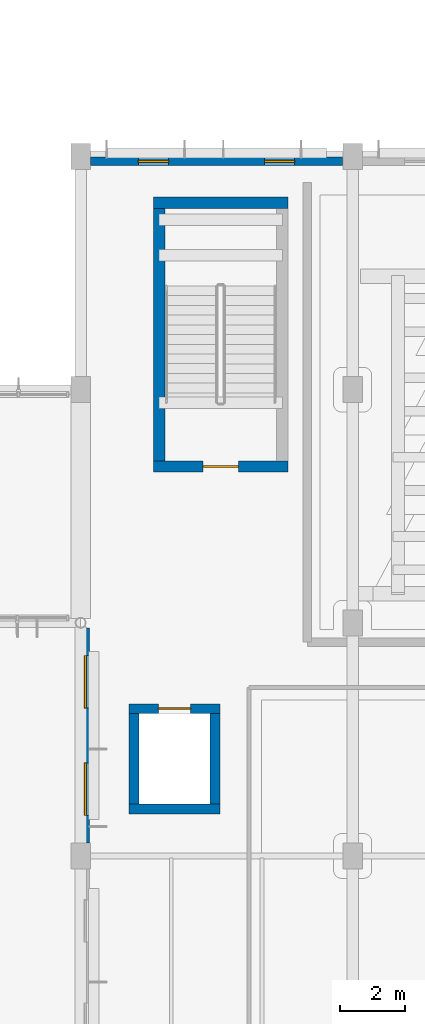
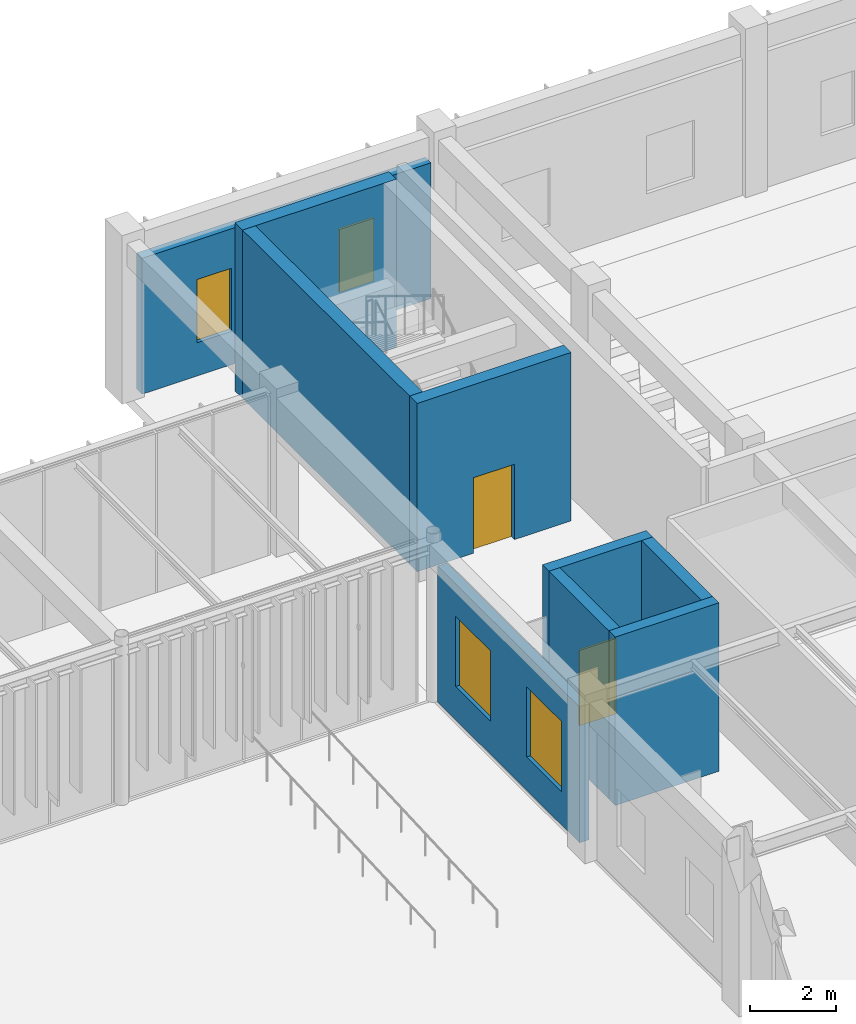
# One storey, part 35 of 122: 9 walls, 4 windows, 2 doors, 6 openings.
"""IFC4 building model written with IfcOpenShell, lengths in metres."""

from ifc_helpers import new_model, si_unit, direction, frame, frame_2d, origin, place, context, subcontext, project, spatial, rectangle, extrude, material, layer, layer_set, type_object, element, fill, save


model = new_model("IFC4")

# Units and contexts
model_context = context("Model", 3, precision=1e-05, world=origin(), true_north=direction((0.0, 1.0)))
body_context = subcontext(model_context, "Body", "Model", "MODEL_VIEW")
ifc_project = project(units=[si_unit("LENGTHUNIT", "METRE"), si_unit("AREAUNIT", "SQUARE_METRE"), si_unit("VOLUMEUNIT", "CUBIC_METRE"), si_unit("PLANEANGLEUNIT", "RADIAN"), si_unit("MASSUNIT", "GRAM", prefix="KILO")], contexts=[model_context])

# Site, building, storey
site_placement = place(None, origin())
site = spatial("IfcSite", under=ifc_project, at=site_placement, CompositionType="ELEMENT")
building_placement = place(site_placement, origin())
building = spatial("IfcBuilding", under=site, at=building_placement, Name="Tazoul Stagehouse", CompositionType="ELEMENT")
storey_placement = place(building_placement, origin())
storey = spatial("IfcBuildingStorey", under=building, at=storey_placement, Name="L00", CompositionType="ELEMENT", Elevation=0.0)

# Wall, opening, door
ifc_material_1 = material(Name="Concrete C40/50", Category="concrete")
ifc_layer_1 = layer(ifc_material_1, 0.35009765625, Name="Concrete C40/50")
ifc_layer_set_1 = layer_set([ifc_layer_1], Name="Concrete C40/50")
wall_type_1 = type_object("IfcWallType", Name="Core Shear Wall 350", PredefinedType="SOLIDWALL", material=ifc_layer_set_1)
wall_1_placement = place(storey_placement, frame((131.800048828125, 49.425048828125, 0.0), z_axis=(0.0, 0.0, 1.0), x_axis=(-1.0, 0.0, 0.0)))
wall_1 = element("IfcWall", 1, at=wall_1_placement, inside=storey, type_object=wall_type_1, Name="L00 Core Wall CW-350 (SHF-ST-07-south)", PredefinedType="SOLIDWALL", context=body_context, shape_type="SweptSolid", body=[
    extrude(rectangle(XDim=4.150146484375, YDim=0.35009765625, at=frame_2d((2.0751953125, 0.0))), origin(), (0.0, 0.0, 1.0), 4.800048828125),
])
opening_1_placement = place(wall_1_placement, frame((1.52490234375, 0.0, 0.0)))
opening_1 = element("IfcOpeningElement", 2, at=opening_1_placement, cuts=wall_1, Name="Opening FD-01", PredefinedType="OPENING", context=body_context, shape_type="SweptSolid", body=[
    extrude(rectangle(XDim=1.10009765625, YDim=2.14990234375, at=frame_2d((0.550048828125, 1.074951171875))), frame((0.0, 0.195068359375, 0.0), z_axis=(0.0, -1.0, 0.0), x_axis=(1.0, 0.0, 0.0)), (0.0, 0.0, 1.0), 0.39013671875),
])
ifc_material_2 = material(Name="Powder-Coated Galvanised Acoustic Steel", Category="steel")
door_type_1 = type_object("IfcDoorType", Name="Core Escape Stair Fire Door 1100x2150", OperationType="NOTDEFINED", PredefinedType="DOOR", material=ifc_material_2)
door_1_placement = place(opening_1_placement, origin())
door_1 = element("IfcDoor", 3, at=door_1_placement, inside=storey, type_object=door_type_1, Name="L00 Escape Stair Fire Door FD-01 (ST-07)", OperationType="SINGLE_SWING_RIGHT", OverallHeight=2.14990234375, OverallWidth=1.10009765625, PredefinedType="DOOR", context=body_context, shape_type="SweptSolid", body=[
    extrude(rectangle(XDim=1.10009765625, YDim=2.14990234375, at=frame_2d((0.550048828125, 1.074951171875))), frame((0.0, 0.02490234375, 0.0), z_axis=(0.0, -1.0, 0.0), x_axis=(1.0, 0.0, 0.0)), (0.0, 0.0, 1.0), 0.050048828125),
])
fill(opening_1, door_1)

# Walls
wall_2_placement = place(storey_placement, frame((127.824951171875, 49.60009765625, 0.0), z_axis=(0.0, 0.0, 1.0), x_axis=(0.0, 1.0, 0.0)))
element("IfcWall", 4, at=wall_2_placement, inside=storey, type_object=wall_type_1, Name="L00 Core Wall CW-350 (SHF-ST-07-west)", PredefinedType="SOLIDWALL", context=body_context, shape_type="SweptSolid", body=[
    extrude(rectangle(XDim=7.7998046875, YDim=0.35009765625, at=frame_2d((3.89990234375, 0.0))), origin(), (0.0, 0.0, 1.0), 4.800048828125),
])
wall_3_placement = place(storey_placement, frame((127.64990234375, 57.574951171875, 0.0), z_axis=(0.0, 0.0, 1.0), x_axis=(1.0, 0.0, 0.0)))
element("IfcWall", 5, at=wall_3_placement, inside=storey, type_object=wall_type_1, Name="L00 Core Wall CW-350 (SHF-ST-07-north)", PredefinedType="SOLIDWALL", context=body_context, shape_type="SweptSolid", body=[
    extrude(rectangle(XDim=4.150146484375, YDim=0.35009765625, at=frame_2d((2.0751953125, 0.0))), origin(), (0.0, 0.0, 1.0), 4.800048828125),
])

# Wall, openings, windows
ifc_material_3 = material(Name="Precast concrete C40/50", Category="concrete")
ifc_layer_2 = layer(ifc_material_3, 0.260009765625, Name="Precast concrete C40/50")
ifc_layer_set_2 = layer_set([ifc_layer_2], Name="Precast concrete C40/50")
wall_type_2 = type_object("IfcWallType", Name="Curved Studio Drum Terracotta-Concrete Wall 260", PredefinedType="SOLIDWALL", material=ifc_layer_set_2)
wall_4_placement = place(storey_placement, frame((125.705078125, 58.85009765625, 0.0), z_axis=(0.0, 0.0, 1.0), x_axis=(1.0, 0.0, 0.0)))
wall_4 = element("IfcWall", 6, at=wall_4_placement, inside=storey, type_object=wall_type_2, Name="L00 Wall EW-260 (WALL-V4-N-L00-S1)", PredefinedType="SOLIDWALL", context=body_context, shape_type="SweptSolid", body=[
    extrude(rectangle(XDim=7.7900390625, YDim=0.260009765625, at=frame_2d((3.89501953125, 0.0))), origin(), (0.0, 0.0, 1.0), 3.873046875),
])
opening_2_placement = place(wall_4_placement, frame((1.482421875, 0.0, 0.949951171875)))
opening_2 = element("IfcOpeningElement", 7, at=opening_2_placement, cuts=wall_4, Name="Opening WN-59", PredefinedType="OPENING", context=body_context, shape_type="SweptSolid", body=[
    extrude(rectangle(XDim=0.929931640625, YDim=1.800048828125, at=frame_2d((0.46484375, 0.89990234375))), frame((0.0, 0.14990234375, 0.0), z_axis=(0.0, -1.0, 0.0), x_axis=(1.0, 0.0, 0.0)), (0.0, 0.0, 1.0), 0.300048828125),
])
opening_3_placement = place(wall_4_placement, frame((5.37744140625, 0.0, 0.949951171875)))
opening_3 = element("IfcOpeningElement", 8, at=opening_3_placement, cuts=wall_4, Name="Opening WN-59", PredefinedType="OPENING", context=body_context, shape_type="SweptSolid", body=[
    extrude(rectangle(XDim=0.929931640625, YDim=1.800048828125, at=frame_2d((0.46484375, 0.89990234375))), frame((0.0, 0.14990234375, 0.0), z_axis=(0.0, -1.0, 0.0), x_axis=(1.0, 0.0, 0.0)), (0.0, 0.0, 1.0), 0.300048828125),
])
ifc_material_4 = material(Name="Double Low-E Acoustic Laminated Glass", Category="glass")
window_type_1 = type_object("IfcWindowType", Name="Architectural Acoustic Facade Window 930x1800", PartitioningType="SINGLE_PANEL", PredefinedType="WINDOW", material=ifc_material_4)
window_1_placement = place(opening_2_placement, origin())
window_1 = element("IfcWindow", 9, at=window_1_placement, inside=storey, type_object=window_type_1, Name="L00 Window WN-59 (WALL-V4-N-L00-S1-W1)", OverallHeight=1.800048828125, OverallWidth=0.929931640625, PartitioningType="SINGLE_PANEL", PredefinedType="WINDOW", context=body_context, shape_type="SweptSolid", body=[
    extrude(rectangle(XDim=0.929931640625, YDim=1.800048828125, at=frame_2d((0.46484375, 0.89990234375))), frame((0.0, 0.030029296875, 0.0), z_axis=(0.0, -1.0, 0.0), x_axis=(1.0, 0.0, 0.0)), (0.0, 0.0, 1.0), 0.06005859375),
])
fill(opening_2, window_1)
window_2_placement = place(opening_3_placement, origin())
window_2 = element("IfcWindow", 10, at=window_2_placement, inside=storey, type_object=window_type_1, Name="L00 Window WN-59 (WALL-V4-N-L00-S1-W2)", OverallHeight=1.800048828125, OverallWidth=0.929931640625, PartitioningType="SINGLE_PANEL", PredefinedType="WINDOW", context=body_context, shape_type="SweptSolid", body=[
    extrude(rectangle(XDim=0.929931640625, YDim=1.800048828125, at=frame_2d((0.46484375, 0.89990234375))), frame((0.0, 0.030029296875, 0.0), z_axis=(0.0, -1.0, 0.0), x_axis=(1.0, 0.0, 0.0)), (0.0, 0.0, 1.0), 0.06005859375),
])
fill(opening_3, window_2)

wall_5_placement = place(storey_placement, frame((125.550048828125, 37.804931640625, 0.0), z_axis=(0.0, 0.0, 1.0), x_axis=(0.0, 1.0, 0.0)))
wall_5 = element("IfcWall", 11, at=wall_5_placement, inside=storey, type_object=wall_type_2, Name="L00 Wall EW-260 (WALL-V4-W-L00-S4)", PredefinedType="SOLIDWALL", context=body_context, shape_type="SweptSolid", body=[
    extrude(rectangle(XDim=6.628173828125, YDim=0.260009765625, at=frame_2d((3.31396484375, 0.0))), origin(), (0.0, 0.0, 1.0), 3.873046875),
])
opening_4_placement = place(wall_5_placement, frame((0.846923828125, 0.0, 0.949951171875)))
opening_4 = element("IfcOpeningElement", 12, at=opening_4_placement, cuts=wall_5, Name="Opening WN-82", PredefinedType="OPENING", context=body_context, shape_type="SweptSolid", body=[
    extrude(rectangle(XDim=1.6201171875, YDim=2.0, at=frame_2d((0.81005859375, 1.0))), frame((0.0, 0.14990234375, 0.0), z_axis=(0.0, -1.0, 0.0), x_axis=(1.0, 0.0, 0.0)), (0.0, 0.0, 1.0), 0.300048828125),
])
opening_5_placement = place(wall_5_placement, frame((4.1611328125, 0.0, 0.949951171875)))
opening_5 = element("IfcOpeningElement", 13, at=opening_5_placement, cuts=wall_5, Name="Opening WN-82", PredefinedType="OPENING", context=body_context, shape_type="SweptSolid", body=[
    extrude(rectangle(XDim=1.6201171875, YDim=2.0, at=frame_2d((0.81005859375, 1.0))), frame((0.0, 0.14990234375, 0.0), z_axis=(0.0, -1.0, 0.0), x_axis=(1.0, 0.0, 0.0)), (0.0, 0.0, 1.0), 0.300048828125),
])
window_type_2 = type_object("IfcWindowType", Name="Architectural Acoustic Facade Window 1620x2000", PartitioningType="SINGLE_PANEL", PredefinedType="WINDOW", material=ifc_material_4)
window_3_placement = place(opening_4_placement, origin())
window_3 = element("IfcWindow", 14, at=window_3_placement, inside=storey, type_object=window_type_2, Name="L00 Window WN-82 (WALL-V4-W-L00-S4-W1)", OverallHeight=2.0, OverallWidth=1.6201171875, PartitioningType="SINGLE_PANEL", PredefinedType="WINDOW", context=body_context, shape_type="SweptSolid", body=[
    extrude(rectangle(XDim=1.6201171875, YDim=2.0, at=frame_2d((0.81005859375, 1.0))), frame((0.0, 0.030029296875, 0.0), z_axis=(0.0, -1.0, 0.0), x_axis=(1.0, 0.0, 0.0)), (0.0, 0.0, 1.0), 0.06005859375),
])
fill(opening_4, window_3)
window_4_placement = place(opening_5_placement, origin())
window_4 = element("IfcWindow", 15, at=window_4_placement, inside=storey, type_object=window_type_2, Name="L00 Window WN-82 (WALL-V4-W-L00-S4-W2)", OverallHeight=2.0, OverallWidth=1.6201171875, PartitioningType="SINGLE_PANEL", PredefinedType="WINDOW", context=body_context, shape_type="SweptSolid", body=[
    extrude(rectangle(XDim=1.6201171875, YDim=2.0, at=frame_2d((0.81005859375, 1.0))), frame((0.0, 0.030029296875, 0.0), z_axis=(0.0, -1.0, 0.0), x_axis=(1.0, 0.0, 0.0)), (0.0, 0.0, 1.0), 0.06005859375),
])
fill(opening_5, window_4)

# Walls
ifc_layer_3 = layer(ifc_material_1, 0.300048828125, Name="Concrete C40/50")
ifc_layer_set_3 = layer_set([ifc_layer_3], Name="Concrete C40/50")
wall_type_3 = type_object("IfcWallType", Name="Lift Shaft Wall 300", PredefinedType="SOLIDWALL", material=ifc_layer_set_3)
for number, where, z_axis, x_axis, name in (
    (16, (129.699951171875, 38.85009765625, 0.0), (0.0, 0.0, 1.0), (-1.0, 0.0, 0.0), "L00 Core Wall CW-300 (LSHF-PL-04-south)"),
    (17, (127.050048828125, 39.0, 0.0), (0.0, 0.0, 1.0), (0.0, 1.0, 0.0), "L00 Core Wall CW-300 (LSHF-PL-04-west)"),
):
    element("IfcWall", number, at=place(storey_placement, frame(where, z_axis=z_axis, x_axis=x_axis)), inside=storey, type_object=wall_type_3, Name=name, PredefinedType="SOLIDWALL", context=body_context, shape_type="SweptSolid", body=[
        extrude(rectangle(XDim=2.800048828125, YDim=0.300048828125, at=frame_2d((1.39990234375, 0.0))), origin(), (0.0, 0.0, 1.0), 4.800048828125),
    ])

# Wall, opening, door
wall_6_placement = place(storey_placement, frame((126.89990234375, 41.949951171875, 0.0), z_axis=(0.0, 0.0, 1.0), x_axis=(1.0, 0.0, 0.0)))
wall_6 = element("IfcWall", 18, at=wall_6_placement, inside=storey, type_object=wall_type_3, Name="L00 Core Wall CW-300 (LSHF-PL-04-north)", PredefinedType="SOLIDWALL", context=body_context, shape_type="SweptSolid", body=[
    extrude(rectangle(XDim=2.800048828125, YDim=0.300048828125, at=frame_2d((1.39990234375, 0.0))), origin(), (0.0, 0.0, 1.0), 4.800048828125),
])
opening_6_placement = place(wall_6_placement, frame((0.89990234375, 0.0, 0.0)))
opening_6 = element("IfcOpeningElement", 19, at=opening_6_placement, cuts=wall_6, Name="Opening LD-06", PredefinedType="OPENING", context=body_context, shape_type="SweptSolid", body=[
    extrude(rectangle(XDim=1.0, YDim=2.14990234375, at=frame_2d((0.5, 1.074951171875))), frame((0.0, 0.169921875, 0.0), z_axis=(0.0, -1.0, 0.0), x_axis=(1.0, 0.0, 0.0)), (0.0, 0.0, 1.0), 0.340087890625),
])
door_type_2 = type_object("IfcDoorType", Name="Studio Lift Sliding Landing Door 1000x2150", OperationType="DOUBLE_DOOR_SLIDING", PredefinedType="DOOR", material=ifc_material_2)
door_2_placement = place(opening_6_placement, origin())
door_2 = element("IfcDoor", 20, at=door_2_placement, inside=storey, type_object=door_type_2, Name="L00 Lift Landing Sliding Door LD-06 (PL-04)", OperationType="DOUBLE_DOOR_SLIDING", OverallHeight=2.14990234375, OverallWidth=1.0, PredefinedType="DOOR", context=body_context, shape_type="SweptSolid", body=[
    extrude(rectangle(XDim=1.0, YDim=2.14990234375, at=frame_2d((0.5, 1.074951171875))), frame((0.0, 0.02490234375, 0.0), z_axis=(0.0, -1.0, 0.0), x_axis=(1.0, 0.0, 0.0)), (0.0, 0.0, 1.0), 0.050048828125),
])
fill(opening_6, door_2)

# Wall
wall_7_placement = place(storey_placement, frame((129.550048828125, 41.800048828125, 0.0), z_axis=(0.0, 0.0, 1.0), x_axis=(0.0, -1.0, 0.0)))
element("IfcWall", 21, at=wall_7_placement, inside=storey, type_object=wall_type_3, Name="L00 Core Wall CW-300 (LSHF-PL-04-east)", PredefinedType="SOLIDWALL", context=body_context, shape_type="SweptSolid", body=[
    extrude(rectangle(XDim=2.800048828125, YDim=0.300048828125, at=frame_2d((1.39990234375, 0.0))), origin(), (0.0, 0.0, 1.0), 4.800048828125),
])

save(model, "model.ifc")
